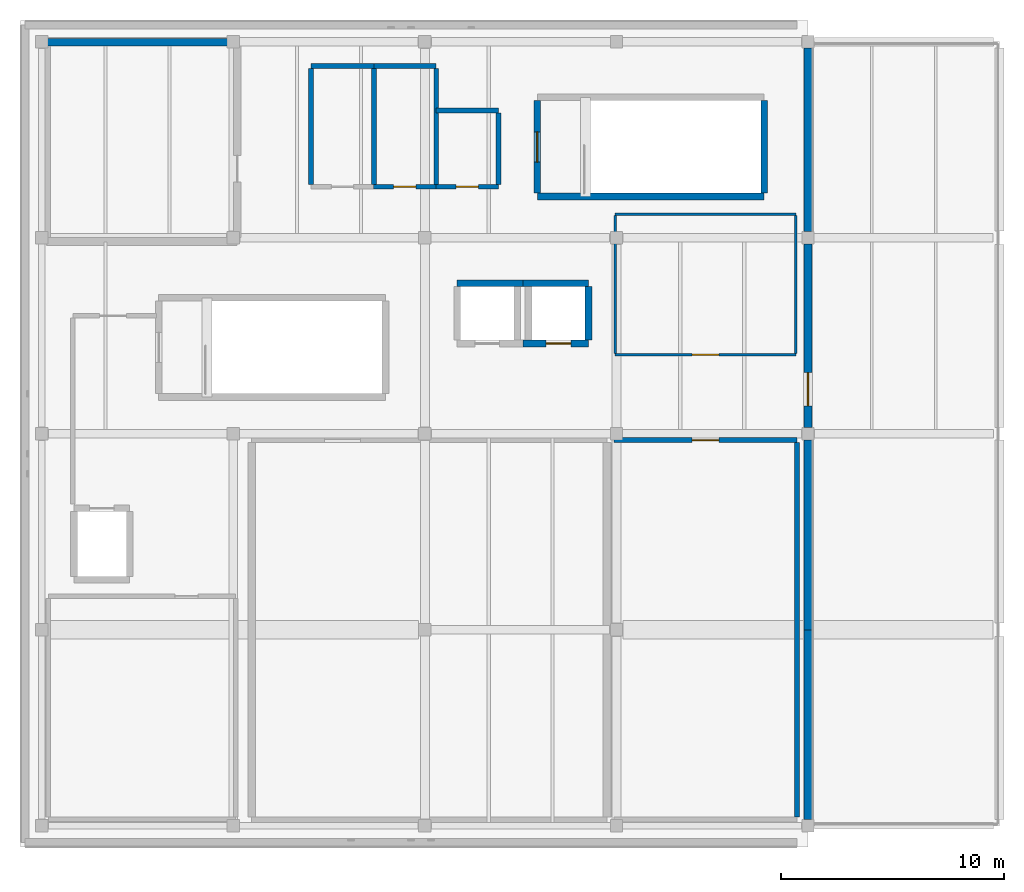
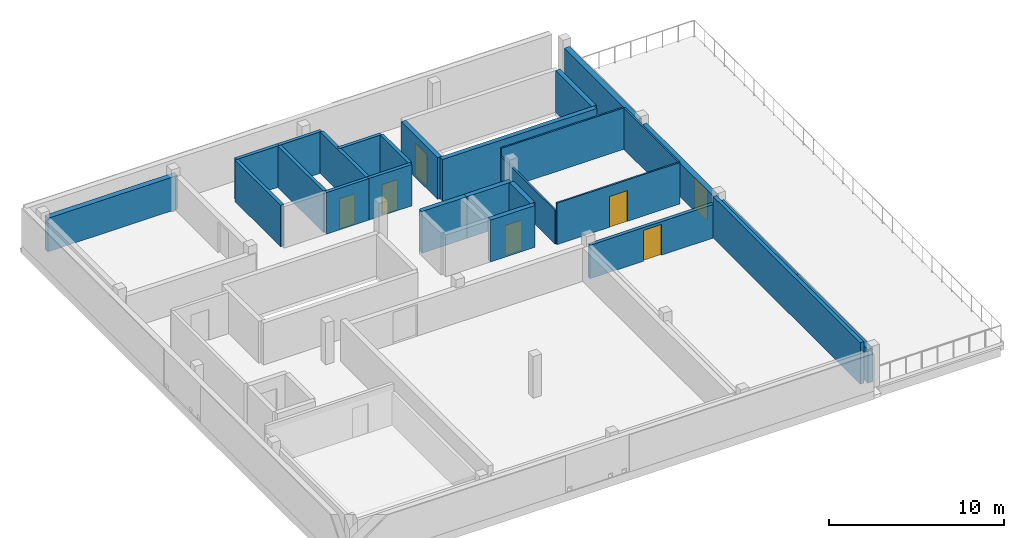
# One storey, part 4 of 6: 27 walls, 7 doors, 7 openings.
"""IFC4 building model written with IfcOpenShell, lengths in metres."""

from ifc_helpers import new_model, si_unit, direction, frame, frame_2d, origin, place, context, subcontext, project, spatial, rectangle, extrude, material, layer, layer_set, type_object, element, fill, save


model = new_model("IFC4")

# Units and contexts
model_context = context("Model", 3, precision=1e-05, world=origin(), true_north=direction((0.0, 1.0)))
body_context = subcontext(model_context, "Body", "Model", "MODEL_VIEW")
ifc_project = project(units=[si_unit("LENGTHUNIT", "METRE"), si_unit("AREAUNIT", "SQUARE_METRE"), si_unit("VOLUMEUNIT", "CUBIC_METRE"), si_unit("PLANEANGLEUNIT", "RADIAN"), si_unit("MASSUNIT", "GRAM", prefix="KILO")], contexts=[model_context])

# Site, building, storey
site_placement = place(None, origin())
site = spatial("IfcSite", under=ifc_project, at=site_placement, CompositionType="ELEMENT")
building_placement = place(site_placement, origin())
building = spatial("IfcBuilding", under=site, at=building_placement, Name="Varnakota Cinema and Media Centre", CompositionType="ELEMENT")
storey_placement = place(building_placement, frame((0.0, 0.0, 25.5)))
storey = spatial("IfcBuildingStorey", under=building, at=storey_placement, Name="L07", CompositionType="ELEMENT", Elevation=25.5)

# Wall, opening, door
ifc_material_1 = material(Name="Autoclaved aerated concrete blockwork", Category="masonry")
ifc_layer_1 = layer(ifc_material_1, 0.22998046875)
ifc_layer_set_1 = layer_set([ifc_layer_1], Name="Autoclaved aerated concrete blockwork")
wall_type_1 = type_object("IfcWallType", Name="W-BOX-230", PredefinedType="PARTITIONING", material=ifc_layer_set_1)
wall_1_placement = place(storey_placement, frame((25.68505859375, 17.31494140625, 0.0), z_axis=(0.0, 0.0, 1.0), x_axis=(1.0, 0.0, 0.0)))
wall_1 = element("IfcWall", 1, at=wall_1_placement, inside=storey, type_object=wall_type_1, Name="L07 RWALL-RM-L07-DIRPREV N wall", PredefinedType="PARTITIONING", context=body_context, shape_type="SweptSolid", body=[
    extrude(rectangle(XDim=8.22998046875, YDim=0.22998046875, at=frame_2d((4.114990234375, 0.0))), origin(), (0.0, 0.0, 1.0), 2.340087890625),
])
opening_1_placement = place(wall_1_placement, frame((3.514892578125, 0.0, 0.0)))
opening_1 = element("IfcOpeningElement", 2, at=opening_1_placement, cuts=wall_1, Name="Opening D-117", PredefinedType="OPENING", context=body_context, shape_type="SweptSolid", body=[
    extrude(rectangle(XDim=1.199951171875, YDim=2.14990234375, at=frame_2d((0.60009765625, 1.074951171875))), frame((0.0, 0.114990234375, 0.0), z_axis=(0.0, -1.0, 0.0), x_axis=(1.0, 0.0, 0.0)), (0.0, 0.0, 1.0), 0.22998046875),
])
ifc_material_2 = material(Name="Thermally broken anodised aluminium AW-6063", Category="aluminium")
door_type_1 = type_object("IfcDoorType", Name="DR-STD-1200x2150", OperationType="NOTDEFINED", PredefinedType="DOOR", material=ifc_material_2)
door_1_placement = place(opening_1_placement, origin())
door_1 = element("IfcDoor", 3, at=door_1_placement, inside=storey, type_object=door_type_1, Name="L07 door D-117", OperationType="SINGLE_SWING_LEFT", OverallHeight=2.14990234375, OverallWidth=1.199951171875, PredefinedType="DOOR", context=body_context, shape_type="SweptSolid", body=[
    extrude(rectangle(XDim=1.199951171875, YDim=2.14990234375, at=frame_2d((0.60009765625, 1.074951171875))), frame((0.0, 0.02490234375, 0.0), z_axis=(0.0, -1.0, 0.0), x_axis=(1.0, 0.0, 0.0)), (0.0, 0.0, 1.0), 0.050048828125),
])
fill(opening_1, door_1)

# Walls
wall_2_placement = place(storey_placement, frame((33.9150390625, 17.199951171875, 0.0), z_axis=(0.0, 0.0, 1.0), x_axis=(0.0, -1.0, 0.0)))
element("IfcWall", 4, at=wall_2_placement, inside=storey, type_object=wall_type_1, Name="L07 RWALL-RM-L07-DIRPREV E wall", PredefinedType="PARTITIONING", context=body_context, shape_type="SweptSolid", body=[
    extrude(rectangle(XDim=16.800048828125, YDim=0.22998046875, at=frame_2d((8.39990234375, 0.0))), origin(), (0.0, 0.0, 1.0), 2.889892578125),
])
ifc_material_3 = material(Name="Concrete M40", Category="concrete")
ifc_layer_2 = layer(ifc_material_3, 0.300048828125)
ifc_layer_set_2 = layer_set([ifc_layer_2], Name="Concrete M40")
wall_type_2 = type_object("IfcWallType", Name="W-CORE-300", PredefinedType="SHEAR", material=ifc_layer_set_2)
wall_3_placement = place(storey_placement, frame((32.429931640625, 28.25, 0.0), z_axis=(0.0, 0.0, 1.0), x_axis=(-1.0, 0.0, 0.0)))
element("IfcWall", 5, at=wall_3_placement, inside=storey, type_object=wall_type_2, Name="L07 CWALL-ST-02-L07 S wall", PredefinedType="SHEAR", context=body_context, shape_type="SweptSolid", body=[
    extrude(rectangle(XDim=10.179931640625, YDim=0.300048828125, at=frame_2d((5.08984375, 0.0))), origin(), (0.0, 0.0, 1.0), 2.909912109375),
])

# Wall, opening, door
wall_4_placement = place(storey_placement, frame((22.25, 28.39990234375, 0.0), z_axis=(0.0, 0.0, 1.0), x_axis=(0.0, 1.0, 0.0)))
wall_4 = element("IfcWall", 6, at=wall_4_placement, inside=storey, type_object=wall_type_2, Name="L07 CWALL-ST-02-L07 W wall", PredefinedType="SHEAR", context=body_context, shape_type="SweptSolid", body=[
    extrude(rectangle(XDim=4.150146484375, YDim=0.300048828125, at=frame_2d((2.0751953125, 0.0))), origin(), (0.0, 0.0, 1.0), 2.909912109375),
])
opening_2_placement = place(wall_4_placement, frame((1.39990234375, 0.0, 0.0)))
opening_2 = element("IfcOpeningElement", 7, at=opening_2_placement, cuts=wall_4, Name="Opening SD-02", PredefinedType="OPENING", context=body_context, shape_type="SweptSolid", body=[
    extrude(rectangle(XDim=1.35009765625, YDim=2.199951171875, at=frame_2d((0.675048828125, 1.10009765625))), frame((0.0, 0.14990234375, 0.0), z_axis=(0.0, -1.0, 0.0), x_axis=(1.0, 0.0, 0.0)), (0.0, 0.0, 1.0), 0.300048828125),
])
ifc_material_4 = material(Name="Thermally broken anodised aluminium AW-6063", Category="aluminium")
door_type_2 = type_object("IfcDoorType", Name="DR-STAIR-1350x2200", OperationType="NOTDEFINED", PredefinedType="DOOR", material=ifc_material_4)
door_2_placement = place(opening_2_placement, origin())
door_2 = element("IfcDoor", 8, at=door_2_placement, inside=storey, type_object=door_type_2, Name="L07 door SD-02", OperationType="SINGLE_SWING_RIGHT", OverallHeight=2.199951171875, OverallWidth=1.35009765625, PredefinedType="DOOR", context=body_context, shape_type="SweptSolid", body=[
    extrude(rectangle(XDim=1.35009765625, YDim=2.199951171875, at=frame_2d((0.675048828125, 1.10009765625))), frame((0.0, 0.02490234375, 0.0), z_axis=(0.0, -1.0, 0.0), x_axis=(1.0, 0.0, 0.0)), (0.0, 0.0, 1.0), 0.050048828125),
])
fill(opening_2, door_2)

# Walls
wall_5_placement = place(storey_placement, frame((32.429931640625, 32.550048828125, 0.0), z_axis=(0.0, 0.0, 1.0), x_axis=(0.0, -1.0, 0.0)))
element("IfcWall", 9, at=wall_5_placement, inside=storey, type_object=wall_type_2, Name="L07 CWALL-ST-02-L07 E wall", PredefinedType="SHEAR", context=body_context, shape_type="SweptSolid", body=[
    extrude(rectangle(XDim=4.150146484375, YDim=0.300048828125, at=frame_2d((2.0751953125, 0.0))), origin(), (0.0, 0.0, 1.0), 2.909912109375),
])
wall_6_placement = place(storey_placement, frame((18.64990234375, 24.35009765625, 0.0), z_axis=(0.0, 0.0, 1.0), x_axis=(1.0, 0.0, 0.0)))
element("IfcWall", 10, at=wall_6_placement, inside=storey, type_object=wall_type_2, Name="L07 LSHAFT-LF-03-L07 N wall", PredefinedType="SHEAR", context=body_context, shape_type="SweptSolid", body=[
    extrude(rectangle(XDim=2.9501953125, YDim=0.300048828125, at=frame_2d((1.47509765625, 0.0))), origin(), (0.0, 0.0, 1.0), 2.909912109375),
])

# Wall, opening, door
wall_7_placement = place(storey_placement, frame((24.550048828125, 21.64990234375, 0.0), z_axis=(0.0, 0.0, 1.0), x_axis=(-1.0, 0.0, 0.0)))
wall_7 = element("IfcWall", 11, at=wall_7_placement, inside=storey, type_object=wall_type_2, Name="L07 LSHAFT-LF-04-L07 S wall", PredefinedType="SHEAR", context=body_context, shape_type="SweptSolid", body=[
    extrude(rectangle(XDim=2.949951171875, YDim=0.300048828125, at=frame_2d((1.47509765625, 0.0))), origin(), (0.0, 0.0, 1.0), 2.909912109375),
])
opening_3_placement = place(wall_7_placement, frame((0.800048828125, 0.0, 0.0)))
opening_3 = element("IfcOpeningElement", 12, at=opening_3_placement, cuts=wall_7, Name="Opening LD-04", PredefinedType="OPENING", context=body_context, shape_type="SweptSolid", body=[
    extrude(rectangle(XDim=1.10009765625, YDim=2.10009765625, at=frame_2d((0.550048828125, 1.050048828125))), frame((0.0, 0.14990234375, 0.0), z_axis=(0.0, -1.0, 0.0), x_axis=(1.0, 0.0, 0.0)), (0.0, 0.0, 1.0), 0.300048828125),
])
ifc_material_5 = material(Name="Thermally broken anodised aluminium AW-6063", Category="aluminium")
door_type_3 = type_object("IfcDoorType", Name="DR-LIFT-1100x2100", OperationType="SLIDING_TO_LEFT", PredefinedType="DOOR", material=ifc_material_5)
door_3_placement = place(opening_3_placement, origin())
door_3 = element("IfcDoor", 13, at=door_3_placement, inside=storey, type_object=door_type_3, Name="L07 door LD-04", OperationType="SLIDING_TO_LEFT", OverallHeight=2.10009765625, OverallWidth=1.10009765625, PredefinedType="DOOR", context=body_context, shape_type="SweptSolid", body=[
    extrude(rectangle(XDim=1.10009765625, YDim=2.10009765625, at=frame_2d((0.550048828125, 1.050048828125))), frame((0.0, 0.02490234375, 0.0), z_axis=(0.0, -1.0, 0.0), x_axis=(1.0, 0.0, 0.0)), (0.0, 0.0, 1.0), 0.050048828125),
])
fill(opening_3, door_3)

# Walls
wall_8_placement = place(storey_placement, frame((21.60009765625, 24.35009765625, 0.0), z_axis=(0.0, 0.0, 1.0), x_axis=(1.0, 0.0, 0.0)))
element("IfcWall", 14, at=wall_8_placement, inside=storey, type_object=wall_type_2, Name="L07 LSHAFT-LF-04-L07 N wall", PredefinedType="SHEAR", context=body_context, shape_type="SweptSolid", body=[
    extrude(rectangle(XDim=2.949951171875, YDim=0.300048828125, at=frame_2d((1.47509765625, 0.0))), origin(), (0.0, 0.0, 1.0), 2.909912109375),
])
wall_9_placement = place(storey_placement, frame((24.550048828125, 24.199951171875, 0.0), z_axis=(0.0, 0.0, 1.0), x_axis=(0.0, -1.0, 0.0)))
element("IfcWall", 15, at=wall_9_placement, inside=storey, type_object=wall_type_2, Name="L07 LSHAFT-LF-04-L07 E wall", PredefinedType="SHEAR", context=body_context, shape_type="SweptSolid", body=[
    extrude(rectangle(XDim=2.39990234375, YDim=0.300048828125, at=frame_2d((1.199951171875, 0.0))), origin(), (0.0, 0.0, 1.0), 2.909912109375),
])
ifc_material_6 = material(Name="Pale Tandur limestone cladding", Category="masonry")
ifc_layer_3 = layer(ifc_material_6, 0.360107421875)
ifc_layer_set_3 = layer_set([ifc_layer_3], Name="Pale Tandur limestone cladding")
wall_type_3 = type_object("IfcWallType", Name="W-EXT-TANDUR-360", PredefinedType="SOLIDWALL", material=ifc_layer_set_3)
wall_10_placement = place(storey_placement, frame((34.39990234375, 34.925048828125, 0.0), z_axis=(0.0, 0.0, 1.0), x_axis=(0.0, -1.0, 0.0)))
element("IfcWall", 16, at=wall_10_placement, inside=storey, type_object=wall_type_3, Name="L07 V4 pale Tandur stone monolith wall V4-E-REF-01", PredefinedType="SOLIDWALL", context=body_context, shape_type="SweptSolid", body=[
    extrude(rectangle(XDim=8.25, YDim=0.360107421875, at=frame_2d((4.125, 0.0))), origin(), (0.0, 0.0, 1.0), 2.344970703125),
])

# Wall, opening, door
wall_11_placement = place(storey_placement, frame((34.39990234375, 26.125, 0.0), z_axis=(0.0, 0.0, 1.0), x_axis=(0.0, -1.0, 0.0)))
wall_11 = element("IfcWall", 17, at=wall_11_placement, inside=storey, type_object=wall_type_3, Name="L07 exterior wall V4-E-REF-2", PredefinedType="SOLIDWALL", context=body_context, shape_type="SweptSolid", body=[
    extrude(rectangle(XDim=8.25, YDim=0.360107421875, at=frame_2d((4.125, 0.0))), origin(), (0.0, 0.0, 1.0), 2.344970703125),
])
opening_4_placement = place(wall_11_placement, frame((5.77490234375, 0.0, 0.0)))
opening_4 = element("IfcOpeningElement", 18, at=opening_4_placement, cuts=wall_11, Name="Opening TD-06", PredefinedType="OPENING", context=body_context, shape_type="SweptSolid", body=[
    extrude(rectangle(XDim=1.5, YDim=2.14990234375, at=frame_2d((0.75, 1.074951171875))), frame((0.0, 0.18017578125, 0.0), z_axis=(0.0, -1.0, 0.0), x_axis=(1.0, 0.0, 0.0)), (0.0, 0.0, 1.0), 0.360107421875),
])
ifc_material_7 = material(Name="Anodised golden-bronze aluminium AW-6063", Category="aluminium")
door_type_4 = type_object("IfcDoorType", Name="DR-TERR-1500x2150", OperationType="NOTDEFINED", PredefinedType="DOOR", material=ifc_material_7)
door_4_placement = place(opening_4_placement, origin())
door_4 = element("IfcDoor", 19, at=door_4_placement, inside=storey, type_object=door_type_4, Name="L07 door TD-06", OperationType="NOTDEFINED", OverallHeight=2.14990234375, OverallWidth=1.5, PredefinedType="DOOR", context=body_context, shape_type="SweptSolid", body=[
    extrude(rectangle(XDim=1.5, YDim=2.14990234375, at=frame_2d((0.75, 1.074951171875))), frame((0.0, 0.02490234375, 0.0), z_axis=(0.0, -1.0, 0.0), x_axis=(1.0, 0.0, 0.0)), (0.0, 0.0, 1.0), 0.050048828125),
])
fill(opening_4, door_4)

# Walls
wall_12_placement = place(storey_placement, frame((34.39990234375, 17.324951171875, 0.0), z_axis=(0.0, 0.0, 1.0), x_axis=(0.0, -1.0, 0.0)))
element("IfcWall", 20, at=wall_12_placement, inside=storey, type_object=wall_type_3, Name="L07 V4 pale Tandur stone monolith wall V4-E-REF-03", PredefinedType="SOLIDWALL", context=body_context, shape_type="SweptSolid", body=[
    extrude(rectangle(XDim=8.52490234375, YDim=0.360107421875, at=frame_2d((4.262451171875, 0.0))), origin(), (0.0, 0.0, 1.0), 2.344970703125),
])
wall_13_placement = place(storey_placement, frame((34.39990234375, 8.800048828125, 0.0), z_axis=(0.0, 0.0, 1.0), x_axis=(0.0, -1.0, 0.0)))
element("IfcWall", 21, at=wall_13_placement, inside=storey, type_object=wall_type_3, Name="L07 V4 pale Tandur stone monolith wall V4-E-REF-04", PredefinedType="SOLIDWALL", context=body_context, shape_type="SweptSolid", body=[
    extrude(rectangle(XDim=8.525146484375, YDim=0.360107421875, at=frame_2d((4.2626953125, 0.0))), origin(), (0.0, 0.0, 1.0), 2.344970703125),
])

# Wall, opening, door
ifc_material_8 = material(Name="Autoclaved aerated concrete blockwork", Category="masonry")
ifc_layer_4 = layer(ifc_material_8, 0.110107421875)
ifc_layer_set_4 = layer_set([ifc_layer_4], Name="Autoclaved aerated concrete blockwork")
wall_type_4 = type_object("IfcWallType", Name="W-PART-110", PredefinedType="PARTITIONING", material=ifc_layer_set_4)
wall_14_placement = place(storey_placement, frame((33.85498046875, 21.14501953125, 0.0), z_axis=(0.0, 0.0, 1.0), x_axis=(-1.0, 0.0, 0.0)))
wall_14 = element("IfcWall", 22, at=wall_14_placement, inside=storey, type_object=wall_type_4, Name="L07 RWALL-RM-L07-CURAT S wall", PredefinedType="PARTITIONING", context=body_context, shape_type="SweptSolid", body=[
    extrude(rectangle(XDim=8.10986328125, YDim=0.110107421875, at=frame_2d((4.054931640625, 0.0))), origin(), (0.0, 0.0, 1.0), 2.889892578125),
])
opening_5_placement = place(wall_14_placement, frame((3.455078125, 0.0, 0.0)))
opening_5 = element("IfcOpeningElement", 23, at=opening_5_placement, cuts=wall_14, Name="Opening D-118", PredefinedType="OPENING", context=body_context, shape_type="SweptSolid", body=[
    extrude(rectangle(XDim=1.199951171875, YDim=2.14990234375, at=frame_2d((0.60009765625, 1.074951171875))), frame((0.0, 0.05517578125, 0.0), z_axis=(0.0, -1.0, 0.0), x_axis=(1.0, 0.0, 0.0)), (0.0, 0.0, 1.0), 0.110107421875),
])
door_5_placement = place(opening_5_placement, origin())
door_5 = element("IfcDoor", 24, at=door_5_placement, inside=storey, type_object=door_type_1, Name="L07 door D-118", OperationType="SINGLE_SWING_RIGHT", OverallHeight=2.14990234375, OverallWidth=1.199951171875, PredefinedType="DOOR", context=body_context, shape_type="SweptSolid", body=[
    extrude(rectangle(XDim=1.199951171875, YDim=2.14990234375, at=frame_2d((0.60009765625, 1.074951171875))), frame((0.0, 0.02490234375, 0.0), z_axis=(0.0, -1.0, 0.0), x_axis=(1.0, 0.0, 0.0)), (0.0, 0.0, 1.0), 0.050048828125),
])
fill(opening_5, door_5)

# Walls
wall_15_placement = place(storey_placement, frame((25.7451171875, 21.199951171875, 0.0), z_axis=(0.0, 0.0, 1.0), x_axis=(0.0, 1.0, 0.0)))
element("IfcWall", 25, at=wall_15_placement, inside=storey, type_object=wall_type_4, Name="L07 RWALL-RM-L07-CURAT W wall", PredefinedType="PARTITIONING", context=body_context, shape_type="SweptSolid", body=[
    extrude(rectangle(XDim=6.199951171875, YDim=0.110107421875, at=frame_2d((3.10009765625, 0.0))), origin(), (0.0, 0.0, 1.0), 2.340087890625),
])
wall_16_placement = place(storey_placement, frame((25.7451171875, 27.455078125, 0.0), z_axis=(0.0, 0.0, 1.0), x_axis=(1.0, 0.0, 0.0)))
element("IfcWall", 26, at=wall_16_placement, inside=storey, type_object=wall_type_4, Name="L07 RWALL-RM-L07-CURAT N wall", PredefinedType="PARTITIONING", context=body_context, shape_type="SweptSolid", body=[
    extrude(rectangle(XDim=8.10986328125, YDim=0.110107421875, at=frame_2d((4.054931640625, 0.0))), origin(), (0.0, 0.0, 1.0), 2.889892578125),
])
wall_17_placement = place(storey_placement, frame((33.85498046875, 27.39990234375, 0.0), z_axis=(0.0, 0.0, 1.0), x_axis=(0.0, -1.0, 0.0)))
element("IfcWall", 27, at=wall_17_placement, inside=storey, type_object=wall_type_4, Name="L07 RWALL-RM-L07-CURAT E wall", PredefinedType="PARTITIONING", context=body_context, shape_type="SweptSolid", body=[
    extrude(rectangle(XDim=6.199951171875, YDim=0.110107421875, at=frame_2d((3.10009765625, 0.0))), origin(), (0.0, 0.0, 1.0), 2.889892578125),
])
ifc_material_9 = material(Name="Autoclaved aerated concrete blockwork", Category="masonry")
ifc_layer_5 = layer(ifc_material_9, 0.219970703125)
ifc_layer_set_5 = layer_set([ifc_layer_5], Name="Autoclaved aerated concrete blockwork")
wall_type_5 = type_object("IfcWallType", Name="W-PLUMB-220", PredefinedType="PLUMBINGWALL", material=ifc_layer_set_5)
wall_18_placement = place(storey_placement, frame((12.090087890625, 28.800048828125, 0.0), z_axis=(0.0, 0.0, 1.0), x_axis=(0.0, 1.0, 0.0)))
element("IfcWall", 28, at=wall_18_placement, inside=storey, type_object=wall_type_5, Name="L07 RWALL-RM-L07-WCM W wall", PredefinedType="PLUMBINGWALL", context=body_context, shape_type="SweptSolid", body=[
    extrude(rectangle(XDim=5.199951171875, YDim=0.219970703125, at=frame_2d((2.60009765625, 0.0))), origin(), (0.0, 0.0, 1.0), 2.889892578125),
])
wall_19_placement = place(storey_placement, frame((12.090087890625, 34.110107421875, 0.0), z_axis=(0.0, 0.0, 1.0), x_axis=(1.0, 0.0, 0.0)))
element("IfcWall", 29, at=wall_19_placement, inside=storey, type_object=wall_type_5, Name="L07 RWALL-RM-L07-WCM N wall", PredefinedType="PLUMBINGWALL", context=body_context, shape_type="SweptSolid", body=[
    extrude(rectangle(XDim=2.81982421875, YDim=0.219970703125, at=frame_2d((1.409912109375, 0.0))), origin(), (0.0, 0.0, 1.0), 2.889892578125),
])
wall_20_placement = place(storey_placement, frame((14.909912109375, 34.0, 0.0), z_axis=(0.0, 0.0, 1.0), x_axis=(0.0, -1.0, 0.0)))
element("IfcWall", 30, at=wall_20_placement, inside=storey, type_object=wall_type_5, Name="L07 RWALL-RM-L07-WCM E wall", PredefinedType="PLUMBINGWALL", context=body_context, shape_type="SweptSolid", body=[
    extrude(rectangle(XDim=5.199951171875, YDim=0.219970703125, at=frame_2d((2.60009765625, 0.0))), origin(), (0.0, 0.0, 1.0), 2.889892578125),
])

# Wall, opening, door
wall_21_placement = place(storey_placement, frame((17.7099609375, 28.68994140625, 0.0), z_axis=(0.0, 0.0, 1.0), x_axis=(-1.0, 0.0, 0.0)))
wall_21 = element("IfcWall", 31, at=wall_21_placement, inside=storey, type_object=wall_type_5, Name="L07 RWALL-RM-L07-WCF S wall", PredefinedType="PLUMBINGWALL", context=body_context, shape_type="SweptSolid", body=[
    extrude(rectangle(XDim=2.820068359375, YDim=0.219970703125, at=frame_2d((1.41015625, 0.0))), origin(), (0.0, 0.0, 1.0), 2.889892578125),
])
opening_6_placement = place(wall_21_placement, frame((0.909912109375, 0.0, 0.0)))
opening_6 = element("IfcOpeningElement", 32, at=opening_6_placement, cuts=wall_21, Name="Opening D-039", PredefinedType="OPENING", context=body_context, shape_type="SweptSolid", body=[
    extrude(rectangle(XDim=1.0, YDim=2.10009765625, at=frame_2d((0.5, 1.050048828125))), frame((0.0, 0.10986328125, 0.0), z_axis=(0.0, -1.0, 0.0), x_axis=(1.0, 0.0, 0.0)), (0.0, 0.0, 1.0), 0.219970703125),
])
ifc_material_10 = material(Name="Thermally broken anodised aluminium AW-6063", Category="aluminium")
door_type_5 = type_object("IfcDoorType", Name="DR-STD-1000x2100", OperationType="NOTDEFINED", PredefinedType="DOOR", material=ifc_material_10)
door_6_placement = place(opening_6_placement, origin())
door_6 = element("IfcDoor", 33, at=door_6_placement, inside=storey, type_object=door_type_5, Name="L07 door D-039", OperationType="SINGLE_SWING_LEFT", OverallHeight=2.10009765625, OverallWidth=1.0, PredefinedType="DOOR", context=body_context, shape_type="SweptSolid", body=[
    extrude(rectangle(XDim=1.0, YDim=2.10009765625, at=frame_2d((0.5, 1.050048828125))), frame((0.0, 0.02490234375, 0.0), z_axis=(0.0, -1.0, 0.0), x_axis=(1.0, 0.0, 0.0)), (0.0, 0.0, 1.0), 0.050048828125),
])
fill(opening_6, door_6)

# Walls
wall_22_placement = place(storey_placement, frame((14.889892578125, 34.110107421875, 0.0), z_axis=(0.0, 0.0, 1.0), x_axis=(1.0, 0.0, 0.0)))
element("IfcWall", 34, at=wall_22_placement, inside=storey, type_object=wall_type_5, Name="L07 RWALL-RM-L07-WCF N wall", PredefinedType="PLUMBINGWALL", context=body_context, shape_type="SweptSolid", body=[
    extrude(rectangle(XDim=2.820068359375, YDim=0.219970703125, at=frame_2d((1.41015625, 0.0))), origin(), (0.0, 0.0, 1.0), 2.889892578125),
])
wall_23_placement = place(storey_placement, frame((17.7099609375, 34.0, 0.0), z_axis=(0.0, 0.0, 1.0), x_axis=(0.0, -1.0, 0.0)))
element("IfcWall", 35, at=wall_23_placement, inside=storey, type_object=wall_type_5, Name="L07 RWALL-RM-L07-WCF E wall", PredefinedType="PLUMBINGWALL", context=body_context, shape_type="SweptSolid", body=[
    extrude(rectangle(XDim=5.199951171875, YDim=0.219970703125, at=frame_2d((2.60009765625, 0.0))), origin(), (0.0, 0.0, 1.0), 2.889892578125),
])

# Wall, opening, door
wall_24_placement = place(storey_placement, frame((20.510009765625, 28.68994140625, 0.0), z_axis=(0.0, 0.0, 1.0), x_axis=(-1.0, 0.0, 0.0)))
wall_24 = element("IfcWall", 36, at=wall_24_placement, inside=storey, type_object=wall_type_5, Name="L07 RWALL-RM-L07-WCA S wall", PredefinedType="PLUMBINGWALL", context=body_context, shape_type="SweptSolid", body=[
    extrude(rectangle(XDim=2.820068359375, YDim=0.219970703125, at=frame_2d((1.41015625, 0.0))), origin(), (0.0, 0.0, 1.0), 2.889892578125),
])
opening_7_placement = place(wall_24_placement, frame((0.909912109375, 0.0, 0.0)))
opening_7 = element("IfcOpeningElement", 37, at=opening_7_placement, cuts=wall_24, Name="Opening D-040", PredefinedType="OPENING", context=body_context, shape_type="SweptSolid", body=[
    extrude(rectangle(XDim=1.0, YDim=2.10009765625, at=frame_2d((0.5, 1.050048828125))), frame((0.0, 0.10986328125, 0.0), z_axis=(0.0, -1.0, 0.0), x_axis=(1.0, 0.0, 0.0)), (0.0, 0.0, 1.0), 0.219970703125),
])
door_7_placement = place(opening_7_placement, origin())
door_7 = element("IfcDoor", 38, at=door_7_placement, inside=storey, type_object=door_type_5, Name="L07 door D-040", OperationType="SINGLE_SWING_RIGHT", OverallHeight=2.10009765625, OverallWidth=1.0, PredefinedType="DOOR", context=body_context, shape_type="SweptSolid", body=[
    extrude(rectangle(XDim=1.0, YDim=2.10009765625, at=frame_2d((0.5, 1.050048828125))), frame((0.0, 0.02490234375, 0.0), z_axis=(0.0, -1.0, 0.0), x_axis=(1.0, 0.0, 0.0)), (0.0, 0.0, 1.0), 0.050048828125),
])
fill(opening_7, door_7)

# Walls
wall_25_placement = place(storey_placement, frame((17.68994140625, 32.110107421875, 0.0), z_axis=(0.0, 0.0, 1.0), x_axis=(1.0, 0.0, 0.0)))
element("IfcWall", 39, at=wall_25_placement, inside=storey, type_object=wall_type_5, Name="L07 RWALL-RM-L07-WCA N wall", PredefinedType="PLUMBINGWALL", context=body_context, shape_type="SweptSolid", body=[
    extrude(rectangle(XDim=2.820068359375, YDim=0.219970703125, at=frame_2d((1.41015625, 0.0))), origin(), (0.0, 0.0, 1.0), 2.889892578125),
])
wall_26_placement = place(storey_placement, frame((20.510009765625, 32.0, 0.0), z_axis=(0.0, 0.0, 1.0), x_axis=(0.0, -1.0, 0.0)))
element("IfcWall", 40, at=wall_26_placement, inside=storey, type_object=wall_type_5, Name="L07 RWALL-RM-L07-WCA E wall", PredefinedType="PLUMBINGWALL", context=body_context, shape_type="SweptSolid", body=[
    extrude(rectangle(XDim=3.199951171875, YDim=0.219970703125, at=frame_2d((1.60009765625, 0.0))), origin(), (0.0, 0.0, 1.0), 2.889892578125),
])
ifc_material_11 = material(Name="Concrete M40", Category="concrete")
ifc_layer_6 = layer(ifc_material_11, 0.35009765625)
ifc_layer_set_6 = layer_set([ifc_layer_6], Name="Concrete M40")
wall_type_6 = type_object("IfcWallType", Name="W-SEP-350", PredefinedType="SOLIDWALL", material=ifc_layer_set_6)
wall_27_placement = place(storey_placement, frame((0.22509765625, 35.175048828125, 0.0), z_axis=(0.0, 0.0, 1.0), x_axis=(1.0, 0.0, 0.0)))
element("IfcWall", 41, at=wall_27_placement, inside=storey, type_object=wall_type_6, Name="L07 RWALL-RM-L07-ARCHIVE N wall", PredefinedType="SOLIDWALL", context=body_context, shape_type="SweptSolid", body=[
    extrude(rectangle(XDim=8.5498046875, YDim=0.35009765625, at=frame_2d((4.27490234375, 0.0))), origin(), (0.0, 0.0, 1.0), 2.340087890625),
])

save(model, "model.ifc")
